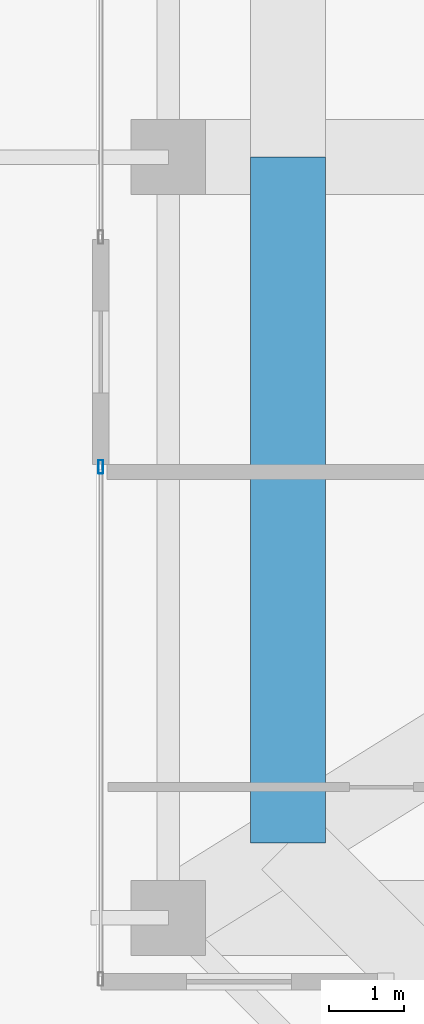
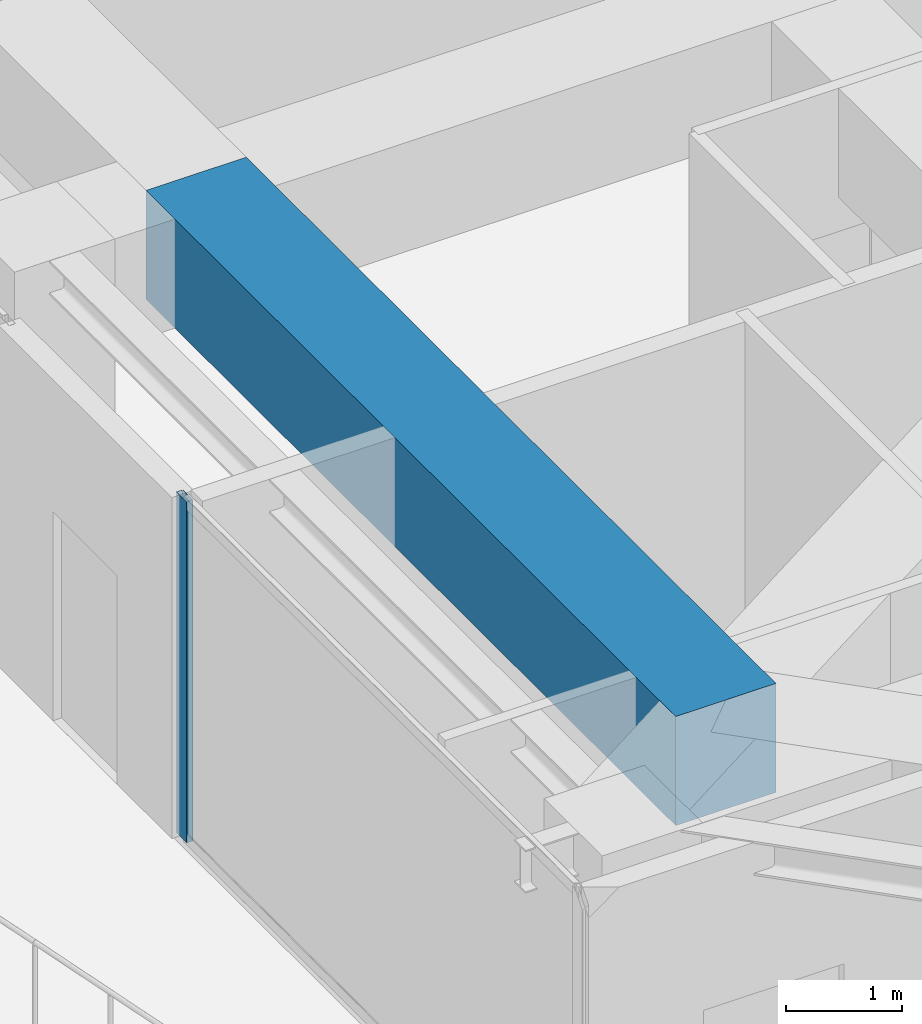
# One storey, part 4 of 40: 1 beam, 1 member, 1 element without a shape of its own.
"""IFC4 building model written with IfcOpenShell, lengths in metres."""

from ifc_helpers import new_model, si_unit, direction, frame, origin, origin_2d, place, context, subcontext, project, spatial, rectangle, hollow_rectangle, extrude, source, transform, mapped, material, layer, layer_set, material_profile, profile_set, type_object, element, aggregate, save


model = new_model("IFC4")

# Units and contexts
model_context = context("Model", 3, precision=1e-05, world=origin(), true_north=direction((0.0, 1.0)))
body_context = subcontext(model_context, "Body", "Model", "MODEL_VIEW")
ifc_project = project(units=[si_unit("LENGTHUNIT", "METRE"), si_unit("AREAUNIT", "SQUARE_METRE"), si_unit("VOLUMEUNIT", "CUBIC_METRE"), si_unit("PLANEANGLEUNIT", "RADIAN"), si_unit("MASSUNIT", "GRAM", prefix="KILO")], contexts=[model_context])

# Site, building, storey
site_placement = place(None, origin())
site = spatial("IfcSite", under=ifc_project, at=site_placement, CompositionType="ELEMENT")
building_placement = place(site_placement, origin())
building = spatial("IfcBuilding", under=site, at=building_placement, Name="Serunith Strait Residences", CompositionType="ELEMENT")
storey_placement = place(building_placement, frame((0.0, 0.0, 333.949951171875)))
storey = spatial("IfcBuildingStorey", under=building, at=storey_placement, Name="L83", CompositionType="ELEMENT", Elevation=333.949951171875)

# Beam
ifc_material_1 = material(Name="Concrete C80/95", Category="concrete")
ifc_material_profile_1 = material_profile(ifc_material_1, rectangle(XDim=1.0, YDim=1.14990234375, at=origin_2d()), Name="RC 1000x1150")
ifc_profile_set_1 = profile_set([ifc_material_profile_1], Name="Concrete C80/95")
beam_type = type_object("IfcBeamType", Name="BM-XFER-1000x1150", PredefinedType="BEAM", material=ifc_profile_set_1)
shared_shape_1 = source(origin(), body_context, "Body", "SweptSolid", [
    extrude(rectangle(XDim=1.0, YDim=1.14990234375, at=origin_2d()), origin(), (0.0, 0.0, 1.0), 9.14990234375),
])
beam_placement = place(storey_placement, frame((11.699951171875, 21.0, 3.03515625), z_axis=(0.0, -1.0, 0.0), x_axis=(1.0, 0.0, 0.0)))
element("IfcBeam", 1, at=beam_placement, inside=storey, type_object=beam_type, Name="L83 Flare Upper Ring Transfer Girder 15", PredefinedType="BEAM", context=body_context, shape_type="MappedRepresentation", body=[
    mapped(shared_shape_1, transform((0.0, 0.0, 0.0), scale=1.0)),
])

# Curtain wall, member
ifc_material_2 = material(Name="Brushed Stainless-Silver Aluminium", Category="aluminium")
ifc_layer = layer(ifc_material_2, 0.199951171875, Name="Brushed Stainless-Silver Aluminium")
ifc_layer_set = layer_set([ifc_layer], Name="Brushed Stainless-Silver Aluminium")
curtain_wall_type = type_object("IfcCurtainWallType", Name="CW-SYS5", PredefinedType="NOTDEFINED", material=ifc_layer_set)
curtain_wall_placement = place(storey_placement, origin())
curtain_wall = element("IfcCurtainWall", 2, at=curtain_wall_placement, inside=storey, type_object=curtain_wall_type, Name="L83 W Unitised Fritted Curtain Wall", PredefinedType="NOTDEFINED")
ifc_material_profile_2 = material_profile(ifc_material_2, hollow_rectangle(XDim=0.06494140625, YDim=0.179931640625, WallThickness=0.00341796875, InnerFilletRadius=0.00537109375, OuterFilletRadius=0.0087890625, at=origin_2d()), Name="ALU 180x65x3.5")
ifc_profile_set_2 = profile_set([ifc_material_profile_2], Name="Brushed Stainless-Silver Aluminium")
member_type = type_object("IfcMemberType", Name="CW-SYS5-MULL", PredefinedType="MULLION", material=ifc_profile_set_2)
shared_shape_2 = source(origin(), body_context, "Body", "SweptSolid", [
    extrude(hollow_rectangle(XDim=0.06494140625, YDim=0.179931640625, WallThickness=0.00341796875, InnerFilletRadius=0.00537109375, OuterFilletRadius=0.0087890625, at=origin_2d()), origin(), (0.0, 0.0, 1.0), 3.594970703125),
])
member_placement = place(storey_placement, frame((9.199951171875, 16.867431640625, 0.0), z_axis=(0.0, 0.0, 1.0), x_axis=(1.0, 0.0, 0.0)))
member = element("IfcMember", 3, at=member_placement, type_object=member_type, Name="CW-5 mullion 1", PredefinedType="MULLION", context=body_context, shape_type="MappedRepresentation", body=[
    mapped(shared_shape_2, transform((0.0, 0.0, 0.0), scale=1.0)),
])
aggregate(curtain_wall, [member])

save(model, "model.ifc")
